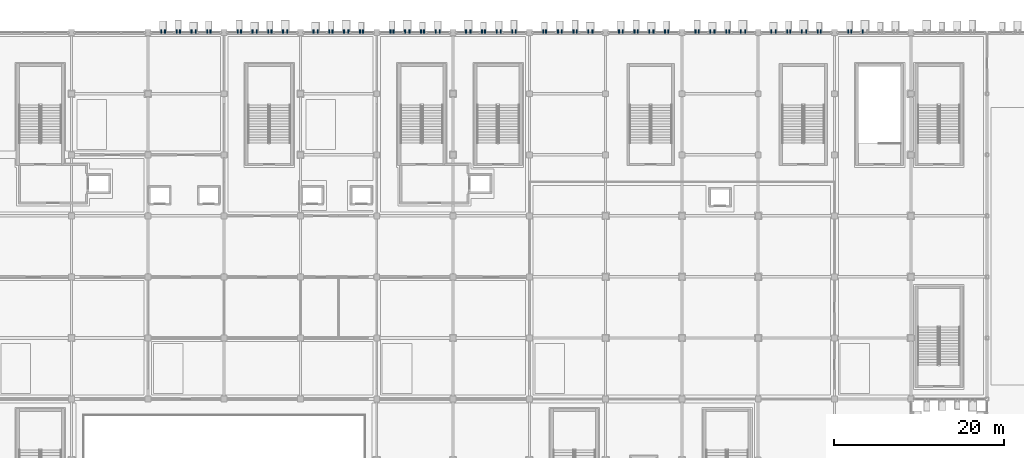
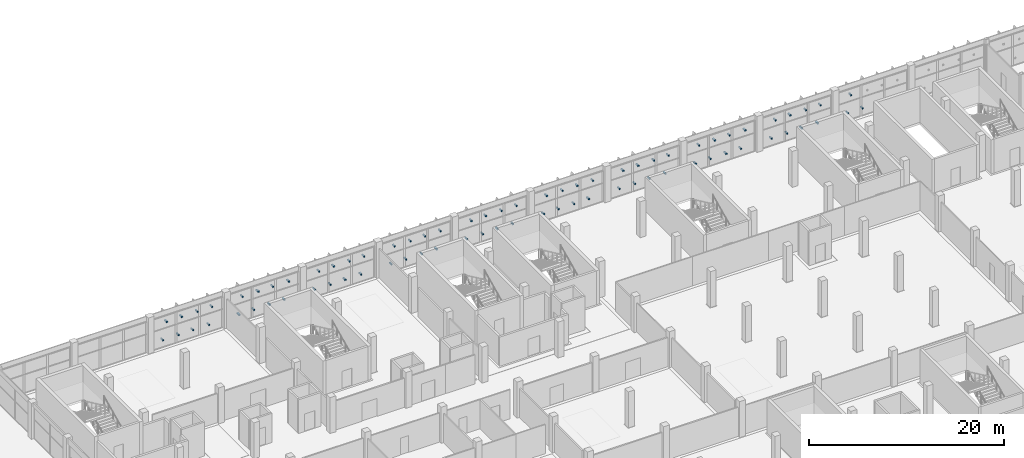
# One storey, part 126 of 151: 75 discrete accessories.
"""IFC4 building model written with IfcOpenShell, lengths in metres."""

from ifc_helpers import new_model, si_unit, direction, frame, origin, origin_2d, place, context, subcontext, project, spatial, rectangle, extrude, material, type_object, element, save


model = new_model("IFC4")

# Units and contexts
model_context = context("Model", 3, precision=1e-05, world=origin(), true_north=direction((0.0, 1.0)))
body_context = subcontext(model_context, "Body", "Model", "MODEL_VIEW")
ifc_project = project(units=[si_unit("LENGTHUNIT", "METRE"), si_unit("AREAUNIT", "SQUARE_METRE"), si_unit("VOLUMEUNIT", "CUBIC_METRE"), si_unit("PLANEANGLEUNIT", "RADIAN"), si_unit("MASSUNIT", "GRAM", prefix="KILO")], contexts=[model_context])

# Site, building, storey
site_placement = place(None, origin())
site = spatial("IfcSite", under=ifc_project, at=site_placement, CompositionType="ELEMENT")
building_placement = place(site_placement, origin())
building = spatial("IfcBuilding", under=site, at=building_placement, Name="Celestram Park Convention Centre", CompositionType="ELEMENT")
storey_placement = place(building_placement, frame((0.0, 0.0, 10.800048828125)))
storey = spatial("IfcBuildingStorey", under=building, at=storey_placement, Name="L02", CompositionType="ELEMENT", Elevation=10.800048828125)

# Discrete accessories
ifc_material = material(Name="Steel ASTM A500 Grade C", Category="steel")
discrete_accessory_type = type_object("IfcDiscreteAccessoryType", Name="ARC-BRK-OUT400", PredefinedType="BRACKET", material=ifc_material)
for number, where, z_axis, x_axis, name in (
    (1, (55.572021484375, 165.75, 0.8134765625), (0.0, 0.0, 1.0), (0.0, 1.0, 0.0), "Solar fin outrigger bracket BK-L02-0919"),
    (2, (56.028076171875, 165.75, 2.9404296875), (0.0, 0.0, 1.0), (0.0, 1.0, 0.0), "Solar fin outrigger bracket BK-L02-0920"),
    (3, (57.40380859375, 165.75, 0.80712890625), (0.0, 0.0, 1.0), (0.0, 1.0, 0.0), "Solar fin outrigger bracket BK-L02-0921"),
    (4, (57.79638671875, 165.75, 2.94677734375), (0.0, 0.0, 1.0), (0.0, 1.0, 0.0), "Solar fin outrigger bracket BK-L02-0922"),
    (5, (59.14794921875, 165.75, 0.8193359375), (0.0, 0.0, 1.0), (0.0, 1.0, 0.0), "Solar fin outrigger bracket BK-L02-0923"),
    (6, (59.652099609375, 165.75, 2.93505859375), (0.0, 0.0, 1.0), (0.0, 1.0, 0.0), "Solar fin outrigger bracket BK-L02-0924"),
    (7, (61.014892578125, 165.75, 0.80517578125), (0.0, 0.0, 1.0), (0.0, 1.0, 0.0), "Solar fin outrigger bracket BK-L02-0925"),
    (8, (61.385009765625, 165.75, 2.94873046875), (0.0, 0.0, 1.0), (0.0, 1.0, 0.0), "Solar fin outrigger bracket BK-L02-0926"),
    (9, (64.603759765625, 165.75, 0.80712890625), (0.0, 0.0, 1.0), (0.0, 1.0, 0.0), "Solar fin outrigger bracket BK-L02-0927"),
    (10, (64.996337890625, 165.75, 2.94677734375), (0.0, 0.0, 1.0), (0.0, 1.0, 0.0), "Solar fin outrigger bracket BK-L02-0928"),
    (11, (66.347900390625, 165.75, 0.8193359375), (0.0, 0.0, 1.0), (0.0, 1.0, 0.0), "Solar fin outrigger bracket BK-L02-0929"),
    (12, (66.85205078125, 165.75, 2.93505859375), (0.0, 0.0, 1.0), (0.0, 1.0, 0.0), "Solar fin outrigger bracket BK-L02-0930"),
    (13, (68.21484375, 165.75, 0.80517578125), (0.0, 0.0, 1.0), (0.0, 1.0, 0.0), "Solar fin outrigger bracket BK-L02-0931"),
    (14, (68.585205078125, 165.75, 2.94873046875), (0.0, 0.0, 1.0), (0.0, 1.0, 0.0), "Solar fin outrigger bracket BK-L02-0932"),
    (15, (69.940673828125, 165.75, 0.82080078125), (0.0, 0.0, 1.0), (0.0, 1.0, 0.0), "Solar fin outrigger bracket BK-L02-0933"),
    (16, (70.45947265625, 165.75, 2.93310546875), (0.0, 0.0, 1.0), (0.0, 1.0, 0.0), "Solar fin outrigger bracket BK-L02-0934"),
    (17, (73.548095703125, 165.75, 0.8193359375), (0.0, 0.0, 1.0), (0.0, 1.0, 0.0), "Solar fin outrigger bracket BK-L02-0935"),
    (18, (74.052001953125, 165.75, 2.93505859375), (0.0, 0.0, 1.0), (0.0, 1.0, 0.0), "Solar fin outrigger bracket BK-L02-0936"),
    (19, (75.414794921875, 165.75, 0.80517578125), (0.0, 0.0, 1.0), (0.0, 1.0, 0.0), "Solar fin outrigger bracket BK-L02-0937"),
    (20, (75.78515625, 165.75, 2.94873046875), (0.0, 0.0, 1.0), (0.0, 1.0, 0.0), "Solar fin outrigger bracket BK-L02-0938"),
    (21, (77.140625, 165.75, 0.82080078125), (0.0, 0.0, 1.0), (0.0, 1.0, 0.0), "Solar fin outrigger bracket BK-L02-0939"),
    (22, (77.659423828125, 165.75, 2.93310546875), (0.0, 0.0, 1.0), (0.0, 1.0, 0.0), "Solar fin outrigger bracket BK-L02-0940"),
    (23, (79.026123046875, 165.75, 0.8037109375), (0.0, 0.0, 1.0), (0.0, 1.0, 0.0), "Solar fin outrigger bracket BK-L02-0941"),
    (24, (79.373779296875, 165.75, 2.95068359375), (0.0, 0.0, 1.0), (0.0, 1.0, 0.0), "Solar fin outrigger bracket BK-L02-0942"),
    (25, (82.614990234375, 165.75, 0.80517578125), (0.0, 0.0, 1.0), (0.0, 1.0, 0.0), "Solar fin outrigger bracket BK-L02-0943"),
    (26, (82.985107421875, 165.75, 2.94873046875), (0.0, 0.0, 1.0), (0.0, 1.0, 0.0), "Solar fin outrigger bracket BK-L02-0944"),
    (27, (84.340576171875, 165.75, 0.82080078125), (0.0, 0.0, 1.0), (0.0, 1.0, 0.0), "Solar fin outrigger bracket BK-L02-0945"),
    (28, (84.859375, 165.75, 2.93310546875), (0.0, 0.0, 1.0), (0.0, 1.0, 0.0), "Solar fin outrigger bracket BK-L02-0946"),
    (29, (86.22607421875, 165.75, 0.8037109375), (0.0, 0.0, 1.0), (0.0, 1.0, 0.0), "Solar fin outrigger bracket BK-L02-0947"),
    (30, (86.573974609375, 165.75, 2.95068359375), (0.0, 0.0, 1.0), (0.0, 1.0, 0.0), "Solar fin outrigger bracket BK-L02-0948"),
    (31, (87.971923828125, 165.75, 0.8134765625), (0.0, 0.0, 1.0), (0.0, 1.0, 0.0), "Solar fin outrigger bracket BK-L02-0949"),
    (32, (88.427978515625, 165.75, 2.9404296875), (0.0, 0.0, 1.0), (0.0, 1.0, 0.0), "Solar fin outrigger bracket BK-L02-0950"),
    (33, (91.54052734375, 165.75, 0.82080078125), (0.0, 0.0, 1.0), (0.0, 1.0, 0.0), "Solar fin outrigger bracket BK-L02-0951"),
    (34, (92.059326171875, 165.75, 2.93310546875), (0.0, 0.0, 1.0), (0.0, 1.0, 0.0), "Solar fin outrigger bracket BK-L02-0952"),
    (35, (93.426025390625, 165.75, 0.8037109375), (0.0, 0.0, 1.0), (0.0, 1.0, 0.0), "Solar fin outrigger bracket BK-L02-0953"),
    (36, (93.77392578125, 165.75, 2.95068359375), (0.0, 0.0, 1.0), (0.0, 1.0, 0.0), "Solar fin outrigger bracket BK-L02-0954"),
    (37, (95.172119140625, 165.75, 0.8134765625), (0.0, 0.0, 1.0), (0.0, 1.0, 0.0), "Solar fin outrigger bracket BK-L02-0955"),
    (38, (95.6279296875, 165.75, 2.9404296875), (0.0, 0.0, 1.0), (0.0, 1.0, 0.0), "Solar fin outrigger bracket BK-L02-0956"),
    (39, (97.003662109375, 165.75, 0.80712890625), (0.0, 0.0, 1.0), (0.0, 1.0, 0.0), "Solar fin outrigger bracket BK-L02-0957"),
    (40, (97.396240234375, 165.75, 2.94677734375), (0.0, 0.0, 1.0), (0.0, 1.0, 0.0), "Solar fin outrigger bracket BK-L02-0958"),
    (41, (100.626220703125, 165.75, 0.8037109375), (0.0, 0.0, 1.0), (0.0, 1.0, 0.0), "Solar fin outrigger bracket BK-L02-0959"),
    (42, (100.973876953125, 165.75, 2.95068359375), (0.0, 0.0, 1.0), (0.0, 1.0, 0.0), "Solar fin outrigger bracket BK-L02-0960"),
    (43, (102.3720703125, 165.75, 0.8134765625), (0.0, 0.0, 1.0), (0.0, 1.0, 0.0), "Solar fin outrigger bracket BK-L02-0961"),
    (44, (102.827880859375, 165.75, 2.9404296875), (0.0, 0.0, 1.0), (0.0, 1.0, 0.0), "Solar fin outrigger bracket BK-L02-0962"),
    (45, (104.20361328125, 165.75, 0.80712890625), (0.0, 0.0, 1.0), (0.0, 1.0, 0.0), "Solar fin outrigger bracket BK-L02-0963"),
    (46, (104.59619140625, 165.75, 2.94677734375), (0.0, 0.0, 1.0), (0.0, 1.0, 0.0), "Solar fin outrigger bracket BK-L02-0964"),
    (47, (105.947998046875, 165.75, 0.8193359375), (0.0, 0.0, 1.0), (0.0, 1.0, 0.0), "Solar fin outrigger bracket BK-L02-0965"),
    (48, (106.451904296875, 165.75, 2.93505859375), (0.0, 0.0, 1.0), (0.0, 1.0, 0.0), "Solar fin outrigger bracket BK-L02-0966"),
    (49, (109.572021484375, 165.75, 0.8134765625), (0.0, 0.0, 1.0), (0.0, 1.0, 0.0), "Solar fin outrigger bracket BK-L02-0967"),
    (50, (110.028076171875, 165.75, 2.9404296875), (0.0, 0.0, 1.0), (0.0, 1.0, 0.0), "Solar fin outrigger bracket BK-L02-0968"),
    (51, (111.40380859375, 165.75, 0.80712890625), (0.0, 0.0, 1.0), (0.0, 1.0, 0.0), "Solar fin outrigger bracket BK-L02-0969"),
    (52, (111.79638671875, 165.75, 2.94677734375), (0.0, 0.0, 1.0), (0.0, 1.0, 0.0), "Solar fin outrigger bracket BK-L02-0970"),
    (53, (113.14794921875, 165.75, 0.8193359375), (0.0, 0.0, 1.0), (0.0, 1.0, 0.0), "Solar fin outrigger bracket BK-L02-0971"),
    (54, (113.652099609375, 165.75, 2.93505859375), (0.0, 0.0, 1.0), (0.0, 1.0, 0.0), "Solar fin outrigger bracket BK-L02-0972"),
    (55, (115.014892578125, 165.75, 0.80517578125), (0.0, 0.0, 1.0), (0.0, 1.0, 0.0), "Solar fin outrigger bracket BK-L02-0973"),
    (56, (115.385009765625, 165.75, 2.94873046875), (0.0, 0.0, 1.0), (0.0, 1.0, 0.0), "Solar fin outrigger bracket BK-L02-0974"),
    (57, (118.603759765625, 165.75, 0.80712890625), (0.0, 0.0, 1.0), (0.0, 1.0, 0.0), "Solar fin outrigger bracket BK-L02-0975"),
    (58, (118.996337890625, 165.75, 2.94677734375), (0.0, 0.0, 1.0), (0.0, 1.0, 0.0), "Solar fin outrigger bracket BK-L02-0976"),
    (59, (120.347900390625, 165.75, 0.8193359375), (0.0, 0.0, 1.0), (0.0, 1.0, 0.0), "Solar fin outrigger bracket BK-L02-0977"),
    (60, (120.85205078125, 165.75, 2.93505859375), (0.0, 0.0, 1.0), (0.0, 1.0, 0.0), "Solar fin outrigger bracket BK-L02-0978"),
    (61, (122.21484375, 165.75, 0.80517578125), (0.0, 0.0, 1.0), (0.0, 1.0, 0.0), "Solar fin outrigger bracket BK-L02-0979"),
    (62, (122.585205078125, 165.75, 2.94873046875), (0.0, 0.0, 1.0), (0.0, 1.0, 0.0), "Solar fin outrigger bracket BK-L02-0980"),
    (63, (123.940673828125, 165.75, 0.82080078125), (0.0, 0.0, 1.0), (0.0, 1.0, 0.0), "Solar fin outrigger bracket BK-L02-0981"),
    (64, (124.45947265625, 165.75, 2.93310546875), (0.0, 0.0, 1.0), (0.0, 1.0, 0.0), "Solar fin outrigger bracket BK-L02-0982"),
    (65, (127.548095703125, 165.75, 0.8193359375), (0.0, 0.0, 1.0), (0.0, 1.0, 0.0), "Solar fin outrigger bracket BK-L02-0983"),
    (66, (128.052001953125, 165.75, 2.93505859375), (0.0, 0.0, 1.0), (0.0, 1.0, 0.0), "Solar fin outrigger bracket BK-L02-0984"),
    (67, (129.414794921875, 165.75, 0.80517578125), (0.0, 0.0, 1.0), (0.0, 1.0, 0.0), "Solar fin outrigger bracket BK-L02-0985"),
    (68, (129.78515625, 165.75, 2.94873046875), (0.0, 0.0, 1.0), (0.0, 1.0, 0.0), "Solar fin outrigger bracket BK-L02-0986"),
    (69, (131.140625, 165.75, 0.82080078125), (0.0, 0.0, 1.0), (0.0, 1.0, 0.0), "Solar fin outrigger bracket BK-L02-0987"),
    (70, (131.659423828125, 165.75, 2.93310546875), (0.0, 0.0, 1.0), (0.0, 1.0, 0.0), "Solar fin outrigger bracket BK-L02-0988"),
    (71, (133.026123046875, 165.75, 0.8037109375), (0.0, 0.0, 1.0), (0.0, 1.0, 0.0), "Solar fin outrigger bracket BK-L02-0989"),
    (72, (133.373779296875, 165.75, 2.95068359375), (0.0, 0.0, 1.0), (0.0, 1.0, 0.0), "Solar fin outrigger bracket BK-L02-0990"),
    (73, (136.614990234375, 165.75, 0.80517578125), (0.0, 0.0, 1.0), (0.0, 1.0, 0.0), "Solar fin outrigger bracket BK-L02-0991"),
    (74, (136.985107421875, 165.75, 2.94873046875), (0.0, 0.0, 1.0), (0.0, 1.0, 0.0), "Solar fin outrigger bracket BK-L02-0992"),
    (75, (138.340576171875, 165.75, 0.82080078125), (0.0, 0.0, 1.0), (0.0, 1.0, 0.0), "Solar fin outrigger bracket BK-L02-0993"),
):
    element("IfcDiscreteAccessory", number, at=place(storey_placement, frame(where, z_axis=z_axis, x_axis=x_axis)), inside=storey, type_object=discrete_accessory_type, Name=name, PredefinedType="BRACKET", context=body_context, shape_type="SweptSolid", body=[
        extrude(rectangle(XDim=0.39990234375, YDim=0.139892578125, at=origin_2d()), origin(), (0.0, 0.0, 1.0), 0.139892578125),
    ])

save(model, "model.ifc")
